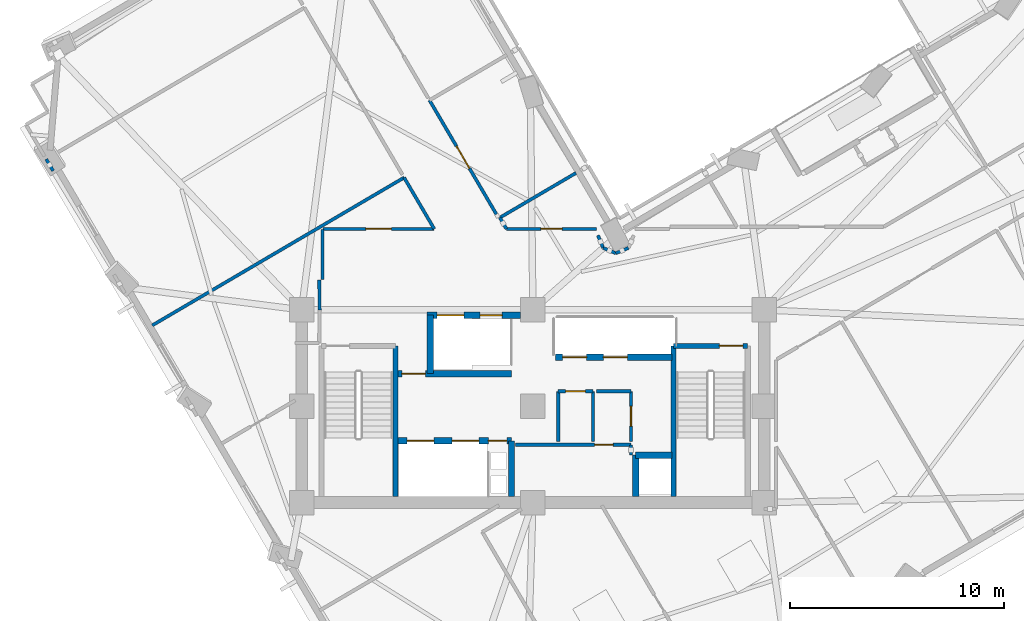
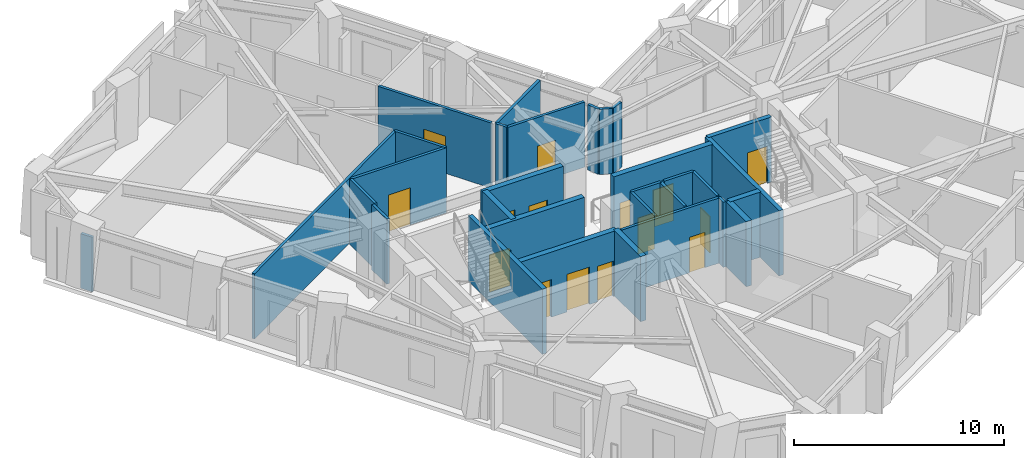
# One storey, part 5 of 12: 31 walls, 15 doors, 15 openings.
"""IFC4 building model written with IfcOpenShell, lengths in metres."""

from ifc_helpers import new_model, si_unit, direction, frame, frame_2d, origin, place, context, subcontext, project, spatial, rectangle, extrude, material, layer, layer_set, type_object, element, fill, save


model = new_model("IFC4")

# Units and contexts
model_context = context("Model", 3, precision=1e-05, world=origin(), true_north=direction((0.0, 1.0)))
body_context = subcontext(model_context, "Body", "Model", "MODEL_VIEW")
ifc_project = project(units=[si_unit("LENGTHUNIT", "METRE"), si_unit("AREAUNIT", "SQUARE_METRE"), si_unit("VOLUMEUNIT", "CUBIC_METRE"), si_unit("PLANEANGLEUNIT", "RADIAN"), si_unit("MASSUNIT", "GRAM", prefix="KILO")], contexts=[model_context])

# Site, building, storey
site_placement = place(None, origin())
site = spatial("IfcSite", under=ifc_project, at=site_placement, CompositionType="ELEMENT")
building_placement = place(site_placement, origin())
building = spatial("IfcBuilding", under=site, at=building_placement, Name="Gaonmaruhae Medical Tower", CompositionType="ELEMENT")
storey_placement = place(building_placement, frame((0.0, 0.0, 153.800048828125)))
storey = spatial("IfcBuildingStorey", under=building, at=storey_placement, Name="L36", CompositionType="ELEMENT", Elevation=153.800048828125)

# Wall, opening, door
ifc_material_1 = material(Name="Gypsum board partition", Category="gypsum")
ifc_layer_1 = layer(ifc_material_1, 0.14990234375)
ifc_layer_set_1 = layer_set([ifc_layer_1], Name="Gypsum board partition")
wall_type_1 = type_object("IfcWallType", Name="PW-150 Rated Clinical Corridor Partition", PredefinedType="PARTITIONING", material=ifc_layer_set_1)
wall_1_placement = place(storey_placement, frame((23.97998046875, 10.5, 0.0), z_axis=(0.0, 0.0, 1.0), x_axis=(1.0, 0.0, 0.0)))
wall_1 = element("IfcWall", 1, at=wall_1_placement, inside=storey, type_object=wall_type_1, Name="L36 Interior Partition L36-RCL1-1", PredefinedType="PARTITIONING", context=body_context, shape_type="SweptSolid", body=[
    extrude(rectangle(XDim=5.39990234375, YDim=0.14990234375, at=frame_2d((2.699951171875, 0.0))), origin(), (0.0, 0.0, 1.0), 3.780029296875),
])
opening_1_placement = place(wall_1_placement, frame((3.702880859375, 0.0, 0.0)))
opening_1 = element("IfcOpeningElement", 2, at=opening_1_placement, cuts=wall_1, Name="Opening AD-01", PredefinedType="OPENING", context=body_context, shape_type="SweptSolid", body=[
    extrude(rectangle(XDim=0.860107421875, YDim=2.06005859375, at=frame_2d((0.43017578125, 1.030029296875))), frame((0.0, 0.0849609375, 0.0), z_axis=(0.0, -1.0, 0.0), x_axis=(1.0, 0.0, 0.0)), (0.0, 0.0, 1.0), 0.169921875),
])
ifc_material_2 = material(Name="Powder-coated steel access door", Category="steel")
door_type_1 = type_object("IfcDoorType", Name="AD-01 Riser & Closet Access Fire Door 860x2060", OperationType="NOTDEFINED", PredefinedType="DOOR", material=ifc_material_2)
door_1_placement = place(opening_1_placement, origin())
door_1 = element("IfcDoor", 3, at=door_1_placement, inside=storey, type_object=door_type_1, Name="L36 Biomedical Infusion Preparation Room Sliding Door", OperationType="SLIDING_TO_LEFT", OverallHeight=2.06005859375, OverallWidth=0.860107421875, PredefinedType="DOOR", context=body_context, shape_type="SweptSolid", body=[
    extrude(rectangle(XDim=0.860107421875, YDim=2.06005859375, at=frame_2d((0.43017578125, 1.030029296875))), frame((0.0, 0.02490234375, 0.0), z_axis=(0.0, -1.0, 0.0), x_axis=(1.0, 0.0, 0.0)), (0.0, 0.0, 1.0), 0.050048828125),
])
fill(opening_1, door_1)

# Walls
wall_2_placement = place(storey_placement, frame((29.3798828125, 10.5, 0.0), z_axis=(0.0, 0.0, 1.0), x_axis=(0.0, -1.0, 0.0)))
element("IfcWall", 4, at=wall_2_placement, inside=storey, type_object=wall_type_1, Name="L36 Interior Partition L36-RCL1-2", PredefinedType="PARTITIONING", context=body_context, shape_type="SweptSolid", body=[
    extrude(rectangle(XDim=0.47998046875, YDim=0.14990234375, at=frame_2d((0.239990234375, 0.0))), origin(), (0.0, 0.0, 1.0), 3.780029296875),
])
wall_3_placement = place(storey_placement, frame((25.97998046875, 10.659912109375, 0.0), z_axis=(0.0, 0.0, 1.0), x_axis=(0.0, 1.0, 0.0)))
element("IfcWall", 5, at=wall_3_placement, inside=storey, type_object=wall_type_1, Name="L36 Interior Partition L36-CS1-3", PredefinedType="PARTITIONING", context=body_context, shape_type="SweptSolid", body=[
    extrude(rectangle(XDim=2.340087890625, YDim=0.14990234375, at=frame_2d((1.169921875, 0.0))), origin(), (0.0, 0.0, 1.0), 3.780029296875),
])

# Wall, opening, door
wall_4_placement = place(storey_placement, frame((25.97998046875, 13.0, 0.0), z_axis=(0.0, 0.0, 1.0), x_axis=(1.0, 0.0, 0.0)))
wall_4 = element("IfcWall", 6, at=wall_4_placement, inside=storey, type_object=wall_type_1, Name="L36 Interior Partition L36-CS1-4", PredefinedType="PARTITIONING", context=body_context, shape_type="SweptSolid", body=[
    extrude(rectangle(XDim=1.6201171875, YDim=0.14990234375, at=frame_2d((0.81005859375, 0.0))), origin(), (0.0, 0.0, 1.0), 3.780029296875),
])
opening_2_placement = place(wall_4_placement, frame((0.35009765625, 0.0, 0.0)))
opening_2 = element("IfcOpeningElement", 7, at=opening_2_placement, cuts=wall_4, Name="Opening UD-01", PredefinedType="OPENING", context=body_context, shape_type="SweptSolid", body=[
    extrude(rectangle(XDim=0.919921875, YDim=2.10009765625, at=frame_2d((0.4599609375, 1.050048828125))), frame((0.0, 0.0849609375, 0.0), z_axis=(0.0, -1.0, 0.0), x_axis=(1.0, 0.0, 0.0)), (0.0, 0.0, 1.0), 0.169921875),
])
ifc_material_3 = material(Name="Powder-coated steel utility door", Category="steel")
door_type_2 = type_object("IfcDoorType", Name="UD-01 Toilet, Utility & Housekeeping Door 920x2100", OperationType="NOTDEFINED", PredefinedType="DOOR", material=ifc_material_3)
door_2_placement = place(opening_2_placement, origin())
door_2 = element("IfcDoor", 8, at=door_2_placement, inside=storey, type_object=door_type_2, Name="L36 Accessible Staff Toilet Door", OperationType="SINGLE_SWING_RIGHT", OverallHeight=2.10009765625, OverallWidth=0.919921875, PredefinedType="DOOR", context=body_context, shape_type="SweptSolid", body=[
    extrude(rectangle(XDim=0.919921875, YDim=2.10009765625, at=frame_2d((0.4599609375, 1.050048828125))), frame((0.0, 0.02490234375, 0.0), z_axis=(0.0, -1.0, 0.0), x_axis=(1.0, 0.0, 0.0)), (0.0, 0.0, 1.0), 0.050048828125),
])
fill(opening_2, door_2)

# Walls
wall_5_placement = place(storey_placement, frame((27.60009765625, 13.0, 0.0), z_axis=(0.0, 0.0, 1.0), x_axis=(0.0, -1.0, 0.0)))
element("IfcWall", 9, at=wall_5_placement, inside=storey, type_object=wall_type_1, Name="L36 Interior Partition L36-CS1-5", PredefinedType="PARTITIONING", context=body_context, shape_type="SweptSolid", body=[
    extrude(rectangle(XDim=2.340087890625, YDim=0.14990234375, at=frame_2d((1.169921875, 0.0))), origin(), (0.0, 0.0, 1.0), 3.780029296875),
])
wall_6_placement = place(storey_placement, frame((27.760009765625, 13.0, 0.0), z_axis=(0.0, 0.0, 1.0), x_axis=(1.0, 0.0, 0.0)))
element("IfcWall", 10, at=wall_6_placement, inside=storey, type_object=wall_type_1, Name="L36 Interior Partition L36-CS2-6", PredefinedType="PARTITIONING", context=body_context, shape_type="SweptSolid", body=[
    extrude(rectangle(XDim=1.619873046875, YDim=0.14990234375, at=frame_2d((0.81005859375, 0.0))), origin(), (0.0, 0.0, 1.0), 3.780029296875),
])

# Wall, opening, door
wall_7_placement = place(storey_placement, frame((29.3798828125, 13.0, 0.0), z_axis=(0.0, 0.0, 1.0), x_axis=(0.0, -1.0, 0.0)))
wall_7 = element("IfcWall", 11, at=wall_7_placement, inside=storey, type_object=wall_type_1, Name="L36 Interior Partition L36-CS2-7", PredefinedType="PARTITIONING", context=body_context, shape_type="SweptSolid", body=[
    extrude(rectangle(XDim=2.340087890625, YDim=0.14990234375, at=frame_2d((1.169921875, 0.0))), origin(), (0.0, 0.0, 1.0), 3.780029296875),
])
opening_3_placement = place(wall_7_placement, frame((0.7099609375, 0.0, 0.0)))
opening_3 = element("IfcOpeningElement", 12, at=opening_3_placement, cuts=wall_7, Name="Opening UD-01", PredefinedType="OPENING", context=body_context, shape_type="SweptSolid", body=[
    extrude(rectangle(XDim=0.919921875, YDim=2.10009765625, at=frame_2d((0.4599609375, 1.050048828125))), frame((0.0, 0.0849609375, 0.0), z_axis=(0.0, -1.0, 0.0), x_axis=(1.0, 0.0, 0.0)), (0.0, 0.0, 1.0), 0.169921875),
])
door_3_placement = place(opening_3_placement, origin())
door_3 = element("IfcDoor", 13, at=door_3_placement, inside=storey, type_object=door_type_2, Name="L36 Biomedical Telemetry Closet Door", OperationType="SINGLE_SWING_RIGHT", OverallHeight=2.10009765625, OverallWidth=0.919921875, PredefinedType="DOOR", context=body_context, shape_type="SweptSolid", body=[
    extrude(rectangle(XDim=0.919921875, YDim=2.10009765625, at=frame_2d((0.4599609375, 1.050048828125))), frame((0.0, 0.02490234375, 0.0), z_axis=(0.0, -1.0, 0.0), x_axis=(1.0, 0.0, 0.0)), (0.0, 0.0, 1.0), 0.050048828125),
])
fill(opening_3, door_3)

# Walls
wall_8_placement = place(storey_placement, frame((14.969970703125, 20.550048828125, 0.0), z_axis=(0.0, 0.0, 1.0), x_axis=(0.0, -1.0, 0.0)))
element("IfcWall", 14, at=wall_8_placement, inside=storey, type_object=wall_type_1, Name="L36 Interior Partition L36-WOF09-37", PredefinedType="PARTITIONING", context=body_context, shape_type="SweptSolid", body=[
    extrude(rectangle(XDim=2.320068359375, YDim=0.14990234375, at=frame_2d((1.16015625, 0.0))), origin(), (0.0, 0.0, 1.0), 3.780029296875),
])
wall_9_placement = place(storey_placement, frame((14.820068359375, 18.199951171875, 0.0), z_axis=(0.0, 0.0, 1.0), x_axis=(0.01499656939, -0.99988754513, 0.0)))
element("IfcWall", 15, at=wall_9_placement, inside=storey, type_object=wall_type_1, Name="L36 Interior Partition L36-WOF09-38", PredefinedType="PARTITIONING", context=body_context, shape_type="SweptSolid", body=[
    extrude(rectangle(XDim=1.400146484375, YDim=0.14990234375, at=frame_2d((0.7001953125, 0.0))), origin(), (0.0, 0.0, 1.0), 3.780029296875),
])
wall_10_placement = place(storey_placement, frame((7.02490234375, 16.077880859375, 0.0), z_axis=(0.0, 0.0, 1.0), x_axis=(0.862494790815, 0.506065940186, 0.0)))
element("IfcWall", 16, at=wall_10_placement, inside=storey, type_object=wall_type_1, Name="L36 Interior Partition L36-WOF09-42", PredefinedType="PARTITIONING", context=body_context, shape_type="SweptSolid", body=[
    extrude(rectangle(XDim=13.634765625, YDim=0.14990234375, at=frame_2d((6.8173828125, 0.0))), origin(), (0.0, 0.0, 1.0), 3.780029296875),
])
wall_11_placement = place(storey_placement, frame((18.784912109375, 22.97802734375, 0.0), z_axis=(0.0, 0.0, 1.0), x_axis=(0.506064259936, -0.862495776694, 0.0)))
element("IfcWall", 17, at=wall_11_placement, inside=storey, type_object=wall_type_1, Name="L36 Interior Partition L36-WOF09-43", PredefinedType="PARTITIONING", context=body_context, shape_type="SweptSolid", body=[
    extrude(rectangle(XDim=2.7802734375, YDim=0.14990234375, at=frame_2d((1.39013671875, 0.0))), origin(), (0.0, 0.0, 1.0), 3.780029296875),
])

# Wall, opening, door
wall_12_placement = place(storey_placement, frame((20.19189453125, 20.580078125, 0.0), z_axis=(0.0, 0.0, 1.0), x_axis=(-1.0, 0.0, 0.0)))
wall_12 = element("IfcWall", 18, at=wall_12_placement, inside=storey, type_object=wall_type_1, Name="L36 Interior Partition L36-WOF09-44", PredefinedType="PARTITIONING", context=body_context, shape_type="SweptSolid", body=[
    extrude(rectangle(XDim=5.19482421875, YDim=0.14990234375, at=frame_2d((2.597412109375, 0.0))), origin(), (0.0, 0.0, 1.0), 3.780029296875),
])
opening_4_placement = place(wall_12_placement, frame((1.99755859375, 0.0, 0.0)))
opening_4 = element("IfcOpeningElement", 19, at=opening_4_placement, cuts=wall_12, Name="Opening CD-02", PredefinedType="OPENING", context=body_context, shape_type="SweptSolid", body=[
    extrude(rectangle(XDim=1.199951171875, YDim=2.14990234375, at=frame_2d((0.60009765625, 1.074951171875))), frame((0.0, 0.0849609375, 0.0), z_axis=(0.0, -1.0, 0.0), x_axis=(1.0, 0.0, 0.0)), (0.0, 0.0, 1.0), 0.169921875),
])
ifc_material_4 = material(Name="Antimicrobial laminate timber fire door", Category="wood")
door_type_3 = type_object("IfcDoorType", Name="CD-02 Clinical Treatment & Procedure Door 1200x2150", OperationType="NOTDEFINED", PredefinedType="DOOR", material=ifc_material_4)
door_4_placement = place(opening_4_placement, origin())
door_4 = element("IfcDoor", 20, at=door_4_placement, inside=storey, type_object=door_type_3, Name="L36 Ward Physician Reporting Office Door", OperationType="SINGLE_SWING_RIGHT", OverallHeight=2.14990234375, OverallWidth=1.199951171875, PredefinedType="DOOR", context=body_context, shape_type="SweptSolid", body=[
    extrude(rectangle(XDim=1.199951171875, YDim=2.14990234375, at=frame_2d((0.60009765625, 1.074951171875))), frame((0.0, 0.02490234375, 0.0), z_axis=(0.0, -1.0, 0.0), x_axis=(1.0, 0.0, 0.0)), (0.0, 0.0, 1.0), 0.050048828125),
])
fill(opening_4, door_4)

# Walls
wall_13_placement = place(storey_placement, frame((2.39306640625, 23.2919921875, 0.0), z_axis=(0.0, 0.0, 1.0), x_axis=(-0.506094778374, 0.862477869457, 0.0)))
element("IfcWall", 21, at=wall_13_placement, inside=storey, type_object=wall_type_1, Name="L36 Interior Partition L36-WOF10-48", PredefinedType="PARTITIONING", context=body_context, shape_type="SweptSolid", body=[
    extrude(rectangle(XDim=0.63427734375, YDim=0.14990234375, at=frame_2d((0.317138671875, 0.0))), origin(), (0.0, 0.0, 1.0), 3.1650390625),
])
wall_14_placement = place(storey_placement, frame((29.260986328125, 19.69091796875, 0.0), z_axis=(0.0, 0.0, 1.0), x_axis=(-0.923629954024, -0.383285413275, 0.0)))
element("IfcWall", 22, at=wall_14_placement, inside=storey, type_object=wall_type_1, Name="L36 Interior Partition L36-IE01-62", PredefinedType="PARTITIONING", context=body_context, shape_type="SweptSolid", body=[
    extrude(rectangle(XDim=0.638916015625, YDim=0.14990234375, at=frame_2d((0.3193359375, 0.0))), origin(), (0.0, 0.0, 1.0), 3.780029296875),
])
wall_15_placement = place(storey_placement, frame((28.6708984375, 19.446044921875, 0.0), z_axis=(0.0, 0.0, 1.0), x_axis=(-0.92334851348, 0.383962918333, 0.0)))
element("IfcWall", 23, at=wall_15_placement, inside=storey, type_object=wall_type_1, Name="L36 Interior Partition L36-IE01-63", PredefinedType="PARTITIONING", context=body_context, shape_type="SweptSolid", body=[
    extrude(rectangle(XDim=0.6376953125, YDim=0.14990234375, at=frame_2d((0.31884765625, 0.0))), origin(), (0.0, 0.0, 1.0), 3.780029296875),
])
wall_16_placement = place(storey_placement, frame((28.08203125, 19.69091796875, 0.0), z_axis=(0.0, 0.0, 1.0), x_axis=(-0.384153472045, 0.92326925104, 0.0)))
element("IfcWall", 24, at=wall_16_placement, inside=storey, type_object=wall_type_1, Name="L36 Interior Partition L36-IE01-64", PredefinedType="PARTITIONING", context=body_context, shape_type="SweptSolid", body=[
    extrude(rectangle(XDim=0.63818359375, YDim=0.14990234375, at=frame_2d((0.319091796875, 0.0))), origin(), (0.0, 0.0, 1.0), 3.780029296875),
])

# Wall, opening, door
wall_17_placement = place(storey_placement, frame((27.76708984375, 20.5791015625, 0.0), z_axis=(0.0, 0.0, 1.0), x_axis=(-0.999999972983, 0.000232450017, 0.0)))
wall_17 = element("IfcWall", 25, at=wall_17_placement, inside=storey, type_object=wall_type_1, Name="L36 Interior Partition L36-IE01-65", PredefinedType="PARTITIONING", context=body_context, shape_type="SweptSolid", body=[
    extrude(rectangle(XDim=4.201171875, YDim=0.14990234375, at=frame_2d((2.1005859375, 0.0))), origin(), (0.0, 0.0, 1.0), 3.780029296875),
])
opening_5_placement = place(wall_17_placement, frame((1.6005859375, 0.0, 0.0)))
opening_5 = element("IfcOpeningElement", 26, at=opening_5_placement, cuts=wall_17, Name="Opening CD-01", PredefinedType="OPENING", context=body_context, shape_type="SweptSolid", body=[
    extrude(rectangle(XDim=1.0, YDim=2.1201171875, at=frame_2d((0.5, 1.06005859375))), frame((0.0, 0.0849609375, 0.0), z_axis=(0.0, -1.0, 0.0), x_axis=(1.0, 0.0, 0.0)), (0.0, 0.0, 1.0), 0.169921875),
])
door_type_4 = type_object("IfcDoorType", Name="CD-01 Consultation & Physician Office Door 1000x2120", OperationType="NOTDEFINED", PredefinedType="DOOR", material=ifc_material_4)
door_5_placement = place(opening_5_placement, origin())
door_5 = element("IfcDoor", 27, at=door_5_placement, inside=storey, type_object=door_type_4, Name="L36 Central Clinical Nurse Station Door", OperationType="SINGLE_SWING_RIGHT", OverallHeight=2.1201171875, OverallWidth=1.0, PredefinedType="DOOR", context=body_context, shape_type="SweptSolid", body=[
    extrude(rectangle(XDim=1.0, YDim=2.1201171875, at=frame_2d((0.5, 1.06005859375))), frame((0.0, 0.02490234375, 0.0), z_axis=(0.0, -1.0, 0.0), x_axis=(1.0, 0.0, 0.0)), (0.0, 0.0, 1.0), 0.050048828125),
])
fill(opening_5, door_5)

# Walls
wall_18_placement = place(storey_placement, frame((23.56591796875, 20.580078125, 0.0), z_axis=(0.0, 0.0, 1.0), x_axis=(-0.506200568764, 0.862415783821, 0.0)))
element("IfcWall", 28, at=wall_18_placement, inside=storey, type_object=wall_type_1, Name="L36 Interior Partition L36-IE01-66", PredefinedType="PARTITIONING", context=body_context, shape_type="SweptSolid", body=[
    extrude(rectangle(XDim=0.612060546875, YDim=0.14990234375, at=frame_2d((0.30615234375, 0.0))), origin(), (0.0, 0.0, 1.0), 3.780029296875),
])
wall_19_placement = place(storey_placement, frame((23.256103515625, 21.10791015625, 0.0), z_axis=(0.0, 0.0, 1.0), x_axis=(0.862537649449, 0.50599288857, 0.0)))
element("IfcWall", 29, at=wall_19_placement, inside=storey, type_object=wall_type_1, Name="L36 Interior Partition L36-IE01-67", PredefinedType="PARTITIONING", context=body_context, shape_type="SweptSolid", body=[
    extrude(rectangle(XDim=4.124755859375, YDim=0.14990234375, at=frame_2d((2.0625, 0.0))), origin(), (0.0, 0.0, 1.0), 3.780029296875),
])

# Wall, opening, door
wall_20_placement = place(storey_placement, frame((23.097900390625, 21.259033203125, 0.0), z_axis=(0.0, 0.0, 1.0), x_axis=(-0.506011476282, 0.862526745018, 0.0)))
wall_20 = element("IfcWall", 30, at=wall_20_placement, inside=storey, type_object=wall_type_1, Name="L36 Interior Partition L36-IN01-91", PredefinedType="PARTITIONING", context=body_context, shape_type="SweptSolid", body=[
    extrude(rectangle(XDim=6.1796875, YDim=0.14990234375, at=frame_2d((3.08984375, 0.0))), origin(), (0.0, 0.0, 1.0), 3.780029296875),
])
opening_6_placement = place(wall_20_placement, frame((2.48974609375, 0.0, 0.0)))
opening_6 = element("IfcOpeningElement", 31, at=opening_6_placement, cuts=wall_20, Name="Opening CD-02", PredefinedType="OPENING", context=body_context, shape_type="SweptSolid", body=[
    extrude(rectangle(XDim=1.199951171875, YDim=2.14990234375, at=frame_2d((0.60009765625, 1.074951171875))), frame((0.0, 0.0849609375, 0.0), z_axis=(0.0, -1.0, 0.0), x_axis=(1.0, 0.0, 0.0)), (0.0, 0.0, 1.0), 0.169921875),
])
door_6_placement = place(opening_6_placement, origin())
door_6 = element("IfcDoor", 32, at=door_6_placement, inside=storey, type_object=door_type_3, Name="L36 Physician Consultation Office Door", OperationType="SINGLE_SWING_LEFT", OverallHeight=2.14990234375, OverallWidth=1.199951171875, PredefinedType="DOOR", context=body_context, shape_type="SweptSolid", body=[
    extrude(rectangle(XDim=1.199951171875, YDim=2.14990234375, at=frame_2d((0.60009765625, 1.074951171875))), frame((0.0, 0.02490234375, 0.0), z_axis=(0.0, -1.0, 0.0), x_axis=(1.0, 0.0, 0.0)), (0.0, 0.0, 1.0), 0.050048828125),
])
fill(opening_6, door_6)

# Wall
ifc_material_5 = material(Name="Concrete C50/60", Category="concrete")
ifc_layer_2 = layer(ifc_material_5, 0.239990234375)
ifc_layer_set_2 = layer_set([ifc_layer_2], Name="Concrete C50/60")
wall_type_2 = type_object("IfcWallType", Name="SW-240 Dogleg Stair Tight Shaft Wall", PredefinedType="SOLIDWALL", material=ifc_layer_set_2)
wall_21_placement = place(storey_placement, frame((18.3798828125, 15.1201171875, 0.0), z_axis=(0.0, 0.0, 1.0), x_axis=(0.0, -1.0, 0.0)))
element("IfcWall", 33, at=wall_21_placement, inside=storey, type_object=wall_type_2, Name="L36 ST-01 Stair Shaft Wall SHW-ST-01-E", PredefinedType="SOLIDWALL", context=body_context, shape_type="SweptSolid", body=[
    extrude(rectangle(XDim=7.045166015625, YDim=0.239990234375, at=frame_2d((3.5224609375, 0.0))), origin(), (0.0, 0.0, 1.0), 3.780029296875),
])

# Wall, opening, door
wall_22_placement = place(storey_placement, frame((31.3701171875, 15.1201171875, 0.0), z_axis=(0.0, 0.0, 1.0), x_axis=(1.0, 0.0, 0.0)))
wall_22 = element("IfcWall", 34, at=wall_22_placement, inside=storey, type_object=wall_type_2, Name="L36 ST-02 Stair Shaft Wall SHW-ST-02-N", PredefinedType="SOLIDWALL", context=body_context, shape_type="SweptSolid", body=[
    extrude(rectangle(XDim=3.4599609375, YDim=0.239990234375, at=frame_2d((1.72998046875, 0.0))), origin(), (0.0, 0.0, 1.0), 3.780029296875),
])
opening_7_placement = place(wall_22_placement, frame((2.139892578125, 0.0, 0.0)))
opening_7 = element("IfcOpeningElement", 35, at=opening_7_placement, cuts=wall_22, Name="Opening FD-01", PredefinedType="OPENING", context=body_context, shape_type="SweptSolid", body=[
    extrude(rectangle(XDim=1.10009765625, YDim=2.14990234375, at=frame_2d((0.550048828125, 1.074951171875))), frame((0.0, 0.1298828125, 0.0), z_axis=(0.0, -1.0, 0.0), x_axis=(1.0, 0.0, 0.0)), (0.0, 0.0, 1.0), 0.260009765625),
])
ifc_material_6 = material(Name="Powder-coated steel fire door", Category="steel")
door_type_5 = type_object("IfcDoorType", Name="FD-01 Escape Stair Protected Fire Door 1100x2150", OperationType="NOTDEFINED", PredefinedType="DOOR", material=ifc_material_6)
door_7_placement = place(opening_7_placement, origin())
door_7 = element("IfcDoor", 36, at=door_7_placement, inside=storey, type_object=door_type_5, Name="L36 ST-02 Protected Escape Stair Door", OperationType="SINGLE_SWING_LEFT", OverallHeight=2.14990234375, OverallWidth=1.10009765625, PredefinedType="DOOR", context=body_context, shape_type="SweptSolid", body=[
    extrude(rectangle(XDim=1.10009765625, YDim=2.14990234375, at=frame_2d((0.550048828125, 1.074951171875))), frame((0.0, 0.02490234375, 0.0), z_axis=(0.0, -1.0, 0.0), x_axis=(1.0, 0.0, 0.0)), (0.0, 0.0, 1.0), 0.050048828125),
])
fill(opening_7, door_7)

# Wall
wall_23_placement = place(storey_placement, frame((31.3701171875, 8.074951171875, 0.0), z_axis=(0.0, 0.0, 1.0), x_axis=(0.0, 1.0, 0.0)))
element("IfcWall", 37, at=wall_23_placement, inside=storey, type_object=wall_type_2, Name="L36 ST-02 Stair Shaft Wall SHW-ST-02-W", PredefinedType="SOLIDWALL", context=body_context, shape_type="SweptSolid", body=[
    extrude(rectangle(XDim=7.045166015625, YDim=0.239990234375, at=frame_2d((3.5224609375, 0.0))), origin(), (0.0, 0.0, 1.0), 3.780029296875),
])

# Wall, openings, doors
ifc_layer_3 = layer(ifc_material_5, 0.300048828125)
ifc_layer_set_3 = layer_set([ifc_layer_3], Name="Concrete C50/60")
wall_type_3 = type_object("IfcWallType", Name="SW-300 Stair & Lift Hoistway Shaft Wall", PredefinedType="SOLIDWALL", material=ifc_layer_set_3)
wall_24_placement = place(storey_placement, frame((19.85009765625, 16.550048828125, 0.0), z_axis=(0.0, 0.0, 1.0), x_axis=(1.0, 0.0, 0.0)))
wall_24 = element("IfcWall", 38, at=wall_24_placement, inside=storey, type_object=wall_type_3, Name="L36 Core Shear Wall CSW-NB", PredefinedType="SOLIDWALL", context=body_context, shape_type="SweptSolid", body=[
    extrude(rectangle(XDim=4.375, YDim=0.300048828125, at=frame_2d((2.1875, 0.0))), origin(), (0.0, 0.0, 1.0), 3.780029296875),
])
opening_8_placement = place(wall_24_placement, frame((0.47509765625, 0.0, 0.0)))
opening_8 = element("IfcOpeningElement", 39, at=opening_8_placement, cuts=wall_24, Name="Opening LD-F1", PredefinedType="OPENING", context=body_context, shape_type="SweptSolid", body=[
    extrude(rectangle(XDim=1.25, YDim=2.179931640625, at=frame_2d((0.625, 1.08984375))), frame((0.0, 0.16015625, 0.0), z_axis=(0.0, -1.0, 0.0), x_axis=(1.0, 0.0, 0.0)), (0.0, 0.0, 1.0), 0.320068359375),
])
opening_9_placement = place(wall_24_placement, frame((2.489990234375, 0.0, 0.0)))
opening_9 = element("IfcOpeningElement", 40, at=opening_9_placement, cuts=wall_24, Name="Opening LD-S1", PredefinedType="OPENING", context=body_context, shape_type="SweptSolid", body=[
    extrude(rectangle(XDim=1.02001953125, YDim=2.1201171875, at=frame_2d((0.510009765625, 1.06005859375))), frame((0.0, 0.16015625, 0.0), z_axis=(0.0, -1.0, 0.0), x_axis=(1.0, 0.0, 0.0)), (0.0, 0.0, 1.0), 0.320068359375),
])
ifc_material_7 = material(Name="Brushed stainless steel 316L landing door", Category="steel")
door_type_6 = type_object("IfcDoorType", Name="LD-F1 Firefighting & Bed Lift Sliding Landing Door 1250x2180", OperationType="NOTDEFINED", PredefinedType="DOOR", material=ifc_material_7)
door_8_placement = place(opening_8_placement, origin())
door_8 = element("IfcDoor", 41, at=door_8_placement, inside=storey, type_object=door_type_6, Name="L36 Service/Bed Lift Landing Door BDL-01", OperationType="DOUBLE_DOOR_SLIDING", OverallHeight=2.179931640625, OverallWidth=1.25, PredefinedType="DOOR", context=body_context, shape_type="SweptSolid", body=[
    extrude(rectangle(XDim=1.25, YDim=2.179931640625, at=frame_2d((0.625, 1.08984375))), frame((0.0, 0.02490234375, 0.0), z_axis=(0.0, -1.0, 0.0), x_axis=(1.0, 0.0, 0.0)), (0.0, 0.0, 1.0), 0.050048828125),
])
fill(opening_8, door_8)
ifc_material_8 = material(Name="Brushed stainless steel 304 landing door", Category="steel")
door_type_7 = type_object("IfcDoorType", Name="LD-S1 Service Lift Sliding Landing Door 1020x2120", OperationType="NOTDEFINED", PredefinedType="DOOR", material=ifc_material_8)
door_9_placement = place(opening_9_placement, origin())
door_9 = element("IfcDoor", 42, at=door_9_placement, inside=storey, type_object=door_type_7, Name="L36 Service/Bed Lift Landing Door SVL-01", OperationType="SLIDING_TO_LEFT", OverallHeight=2.1201171875, OverallWidth=1.02001953125, PredefinedType="DOOR", context=body_context, shape_type="SweptSolid", body=[
    extrude(rectangle(XDim=1.02001953125, YDim=2.1201171875, at=frame_2d((0.510009765625, 1.06005859375))), frame((0.0, 0.02490234375, 0.0), z_axis=(0.0, -1.0, 0.0), x_axis=(1.0, 0.0, 0.0)), (0.0, 0.0, 1.0), 0.050048828125),
])
fill(opening_9, door_9)

wall_25_placement = place(storey_placement, frame((18.5, 10.679931640625, 0.0), z_axis=(0.0, 0.0, 1.0), x_axis=(1.0, 0.0, 0.0)))
wall_25 = element("IfcWall", 43, at=wall_25_placement, inside=storey, type_object=wall_type_3, Name="L36 Shaft Enclosure Wall SHW-FFN", PredefinedType="SOLIDWALL", context=body_context, shape_type="SweptSolid", body=[
    extrude(rectangle(XDim=5.300048828125, YDim=0.300048828125, at=frame_2d((2.64990234375, 0.0))), origin(), (0.0, 0.0, 1.0), 3.780029296875),
])
opening_10_placement = place(wall_25_placement, frame((4.219970703125, 0.0, 0.0)))
opening_10 = element("IfcOpeningElement", 44, at=opening_10_placement, cuts=wall_25, Name="Opening AD-01", PredefinedType="OPENING", context=body_context, shape_type="SweptSolid", body=[
    extrude(rectangle(XDim=0.860107421875, YDim=2.06005859375, at=frame_2d((0.43017578125, 1.030029296875))), frame((0.0, 0.16015625, 0.0), z_axis=(0.0, -1.0, 0.0), x_axis=(1.0, 0.0, 0.0)), (0.0, 0.0, 1.0), 0.320068359375),
])
opening_11_placement = place(wall_25_placement, frame((0.425048828125, 0.0, 0.0)))
opening_11 = element("IfcOpeningElement", 45, at=opening_11_placement, cuts=wall_25, Name="Opening LD-F1", PredefinedType="OPENING", context=body_context, shape_type="SweptSolid", body=[
    extrude(rectangle(XDim=1.25, YDim=2.179931640625, at=frame_2d((0.625, 1.08984375))), frame((0.0, 0.16015625, 0.0), z_axis=(0.0, -1.0, 0.0), x_axis=(1.0, 0.0, 0.0)), (0.0, 0.0, 1.0), 0.320068359375),
])
opening_12_placement = place(wall_25_placement, frame((2.52490234375, 0.0, 0.0)))
opening_12 = element("IfcOpeningElement", 46, at=opening_12_placement, cuts=wall_25, Name="Opening LD-F1", PredefinedType="OPENING", context=body_context, shape_type="SweptSolid", body=[
    extrude(rectangle(XDim=1.25, YDim=2.179931640625, at=frame_2d((0.625, 1.08984375))), frame((0.0, 0.16015625, 0.0), z_axis=(0.0, -1.0, 0.0), x_axis=(1.0, 0.0, 0.0)), (0.0, 0.0, 1.0), 0.320068359375),
])
door_10_placement = place(opening_10_placement, origin())
door_10 = element("IfcDoor", 47, at=door_10_placement, inside=storey, type_object=door_type_1, Name="L36 Medical Gas and MEP Riser Access Door", OperationType="SINGLE_SWING_RIGHT", OverallHeight=2.06005859375, OverallWidth=0.860107421875, PredefinedType="DOOR", context=body_context, shape_type="SweptSolid", body=[
    extrude(rectangle(XDim=0.860107421875, YDim=2.06005859375, at=frame_2d((0.43017578125, 1.030029296875))), frame((0.0, 0.02490234375, 0.0), z_axis=(0.0, -1.0, 0.0), x_axis=(1.0, 0.0, 0.0)), (0.0, 0.0, 1.0), 0.050048828125),
])
fill(opening_10, door_10)
door_11_placement = place(opening_11_placement, origin())
door_11 = element("IfcDoor", 48, at=door_11_placement, inside=storey, type_object=door_type_6, Name="L36 Firefighting Lift Landing Door FFL-01", OperationType="DOUBLE_DOOR_SLIDING", OverallHeight=2.179931640625, OverallWidth=1.25, PredefinedType="DOOR", context=body_context, shape_type="SweptSolid", body=[
    extrude(rectangle(XDim=1.25, YDim=2.179931640625, at=frame_2d((0.625, 1.08984375))), frame((0.0, 0.02490234375, 0.0), z_axis=(0.0, -1.0, 0.0), x_axis=(1.0, 0.0, 0.0)), (0.0, 0.0, 1.0), 0.050048828125),
])
fill(opening_11, door_11)
door_12_placement = place(opening_12_placement, origin())
door_12 = element("IfcDoor", 49, at=door_12_placement, inside=storey, type_object=door_type_6, Name="L36 Firefighting Lift Landing Door FFL-02", OperationType="DOUBLE_DOOR_SLIDING", OverallHeight=2.179931640625, OverallWidth=1.25, PredefinedType="DOOR", context=body_context, shape_type="SweptSolid", body=[
    extrude(rectangle(XDim=1.25, YDim=2.179931640625, at=frame_2d((0.625, 1.08984375))), frame((0.0, 0.02490234375, 0.0), z_axis=(0.0, -1.0, 0.0), x_axis=(1.0, 0.0, 0.0)), (0.0, 0.0, 1.0), 0.050048828125),
])
fill(opening_12, door_12)

# Wall, opening, door
wall_26_placement = place(storey_placement, frame((18.5, 13.820068359375, 0.0), z_axis=(0.0, 0.0, 1.0), x_axis=(1.0, 0.0, 0.0)))
wall_26 = element("IfcWall", 50, at=wall_26_placement, inside=storey, type_object=wall_type_3, Name="L36 Shaft Enclosure Wall SHW-FFL", PredefinedType="SOLIDWALL", context=body_context, shape_type="SweptSolid", body=[
    extrude(rectangle(XDim=5.300048828125, YDim=0.300048828125, at=frame_2d((2.64990234375, 0.0))), origin(), (0.0, 0.0, 1.0), 3.780029296875),
])
opening_13_placement = place(wall_26_placement, frame((0.179931640625, 0.0, 0.0)))
opening_13 = element("IfcOpeningElement", 51, at=opening_13_placement, cuts=wall_26, Name="Opening FD-01", PredefinedType="OPENING", context=body_context, shape_type="SweptSolid", body=[
    extrude(rectangle(XDim=1.10009765625, YDim=2.14990234375, at=frame_2d((0.550048828125, 1.074951171875))), frame((0.0, 0.16015625, 0.0), z_axis=(0.0, -1.0, 0.0), x_axis=(1.0, 0.0, 0.0)), (0.0, 0.0, 1.0), 0.320068359375),
])
door_13_placement = place(opening_13_placement, origin())
door_13 = element("IfcDoor", 52, at=door_13_placement, inside=storey, type_object=door_type_5, Name="L36 Firefighting Lobby Smoke Door", OperationType="SINGLE_SWING_LEFT", OverallHeight=2.14990234375, OverallWidth=1.10009765625, PredefinedType="DOOR", context=body_context, shape_type="SweptSolid", body=[
    extrude(rectangle(XDim=1.10009765625, YDim=2.14990234375, at=frame_2d((0.550048828125, 1.074951171875))), frame((0.0, 0.02490234375, 0.0), z_axis=(0.0, -1.0, 0.0), x_axis=(1.0, 0.0, 0.0)), (0.0, 0.0, 1.0), 0.050048828125),
])
fill(opening_13, door_13)

# Walls
wall_27_placement = place(storey_placement, frame((23.800048828125, 8.074951171875, 0.0), z_axis=(0.0, 0.0, 1.0), x_axis=(0.0, 1.0, 0.0)))
element("IfcWall", 53, at=wall_27_placement, inside=storey, type_object=wall_type_3, Name="L36 Shaft Enclosure Wall SHW-FFE", PredefinedType="SOLIDWALL", context=body_context, shape_type="SweptSolid", body=[
    extrude(rectangle(XDim=2.60498046875, YDim=0.300048828125, at=frame_2d((1.302490234375, 0.0))), origin(), (0.0, 0.0, 1.0), 3.780029296875),
])
wall_28_placement = place(storey_placement, frame((20.0, 13.820068359375, 0.0), z_axis=(0.0, 0.0, 1.0), x_axis=(0.0, 1.0, 0.0)))
element("IfcWall", 54, at=wall_28_placement, inside=storey, type_object=wall_type_3, Name="L36 Shaft Enclosure Wall SHW-BDW", PredefinedType="SOLIDWALL", context=body_context, shape_type="SweptSolid", body=[
    extrude(rectangle(XDim=2.72998046875, YDim=0.300048828125, at=frame_2d((1.364990234375, 0.0))), origin(), (0.0, 0.0, 1.0), 3.780029296875),
])
wall_29_placement = place(storey_placement, frame((29.60009765625, 10.02001953125, 0.0), z_axis=(0.0, 0.0, 1.0), x_axis=(1.0, 0.0, 0.0)))
element("IfcWall", 55, at=wall_29_placement, inside=storey, type_object=wall_type_3, Name="L36 Shaft Enclosure Wall SHW-PLS", PredefinedType="SOLIDWALL", context=body_context, shape_type="SweptSolid", body=[
    extrude(rectangle(XDim=1.699951171875, YDim=0.300048828125, at=frame_2d((0.85009765625, 0.0))), origin(), (0.0, 0.0, 1.0), 3.780029296875),
])
wall_30_placement = place(storey_placement, frame((29.60009765625, 8.074951171875, 0.0), z_axis=(0.0, 0.0, 1.0), x_axis=(0.0, 1.0, 0.0)))
element("IfcWall", 56, at=wall_30_placement, inside=storey, type_object=wall_type_3, Name="L36 Shaft Enclosure Wall SHW-PLD1", PredefinedType="SOLIDWALL", context=body_context, shape_type="SweptSolid", body=[
    extrude(rectangle(XDim=1.945068359375, YDim=0.300048828125, at=frame_2d((0.97265625, 0.0))), origin(), (0.0, 0.0, 1.0), 3.780029296875),
])

# Wall, openings, doors
wall_31_placement = place(storey_placement, frame((25.85009765625, 14.580078125, 0.0), z_axis=(0.0, 0.0, 1.0), x_axis=(1.0, 0.0, 0.0)))
wall_31 = element("IfcWall", 57, at=wall_31_placement, inside=storey, type_object=wall_type_3, Name="L36 Shaft Enclosure Wall SHW-PLN", PredefinedType="SOLIDWALL", context=body_context, shape_type="SweptSolid", body=[
    extrude(rectangle(XDim=5.449951171875, YDim=0.300048828125, at=frame_2d((2.72509765625, 0.0))), origin(), (0.0, 0.0, 1.0), 3.780029296875),
])
opening_14_placement = place(wall_31_placement, frame((0.340087890625, 0.0, 0.0)))
opening_14 = element("IfcOpeningElement", 58, at=opening_14_placement, cuts=wall_31, Name="Opening LD-P1", PredefinedType="OPENING", context=body_context, shape_type="SweptSolid", body=[
    extrude(rectangle(XDim=1.1201171875, YDim=2.14990234375, at=frame_2d((0.56005859375, 1.074951171875))), frame((0.0, 0.16015625, 0.0), z_axis=(0.0, -1.0, 0.0), x_axis=(1.0, 0.0, 0.0)), (0.0, 0.0, 1.0), 0.320068359375),
])
opening_15_placement = place(wall_31_placement, frame((2.239990234375, 0.0, 0.0)))
opening_15 = element("IfcOpeningElement", 59, at=opening_15_placement, cuts=wall_31, Name="Opening LD-P1", PredefinedType="OPENING", context=body_context, shape_type="SweptSolid", body=[
    extrude(rectangle(XDim=1.1201171875, YDim=2.14990234375, at=frame_2d((0.56005859375, 1.074951171875))), frame((0.0, 0.16015625, 0.0), z_axis=(0.0, -1.0, 0.0), x_axis=(1.0, 0.0, 0.0)), (0.0, 0.0, 1.0), 0.320068359375),
])
door_type_8 = type_object("IfcDoorType", Name="LD-P1 Passenger Lift Sliding Landing Door 1120x2150", OperationType="NOTDEFINED", PredefinedType="DOOR", material=ifc_material_8)
door_14_placement = place(opening_14_placement, origin())
door_14 = element("IfcDoor", 60, at=door_14_placement, inside=storey, type_object=door_type_8, Name="L36 Passenger Lift Landing Door PL-M1", OperationType="DOUBLE_DOOR_SLIDING", OverallHeight=2.14990234375, OverallWidth=1.1201171875, PredefinedType="DOOR", context=body_context, shape_type="SweptSolid", body=[
    extrude(rectangle(XDim=1.1201171875, YDim=2.14990234375, at=frame_2d((0.56005859375, 1.074951171875))), frame((0.0, 0.02490234375, 0.0), z_axis=(0.0, -1.0, 0.0), x_axis=(1.0, 0.0, 0.0)), (0.0, 0.0, 1.0), 0.050048828125),
])
fill(opening_14, door_14)
door_15_placement = place(opening_15_placement, origin())
door_15 = element("IfcDoor", 61, at=door_15_placement, inside=storey, type_object=door_type_8, Name="L36 Passenger Lift Landing Door PL-M2", OperationType="DOUBLE_DOOR_SLIDING", OverallHeight=2.14990234375, OverallWidth=1.1201171875, PredefinedType="DOOR", context=body_context, shape_type="SweptSolid", body=[
    extrude(rectangle(XDim=1.1201171875, YDim=2.14990234375, at=frame_2d((0.56005859375, 1.074951171875))), frame((0.0, 0.02490234375, 0.0), z_axis=(0.0, -1.0, 0.0), x_axis=(1.0, 0.0, 0.0)), (0.0, 0.0, 1.0), 0.050048828125),
])
fill(opening_15, door_15)

save(model, "model.ifc")
